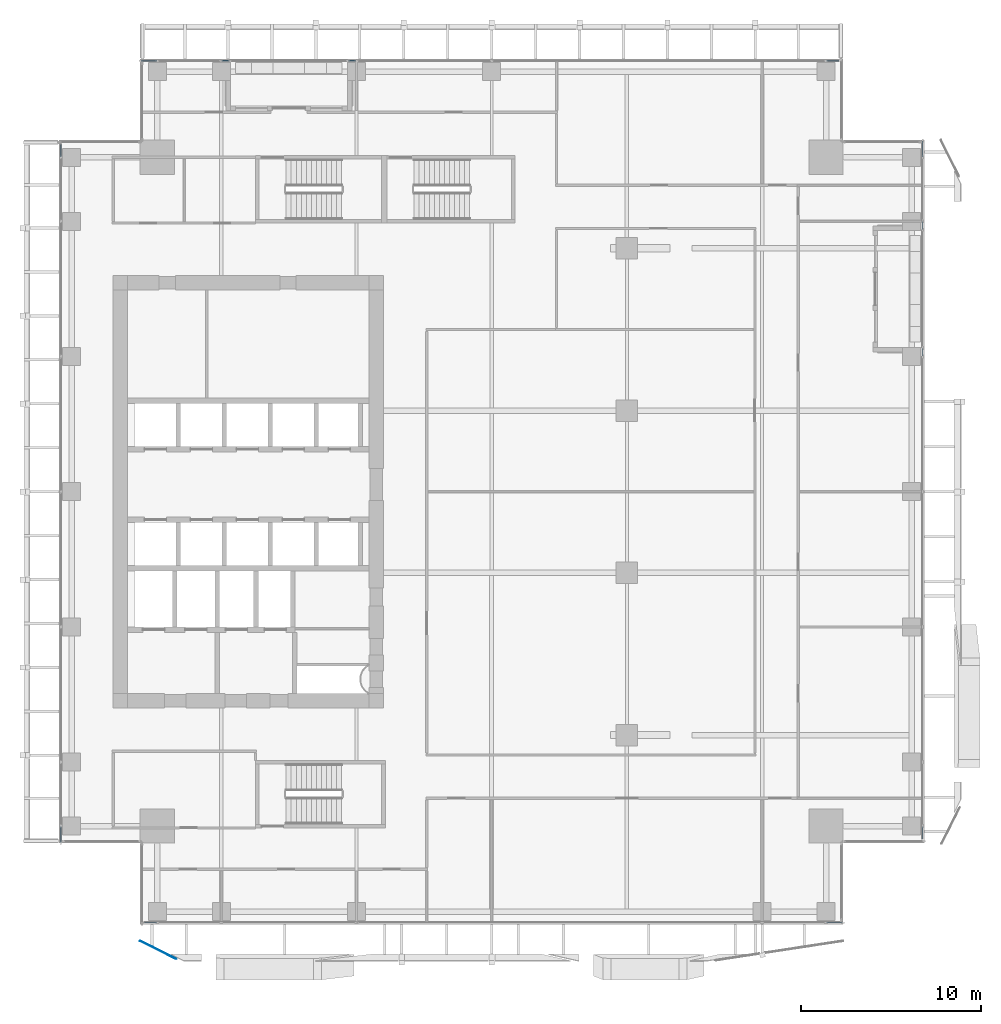
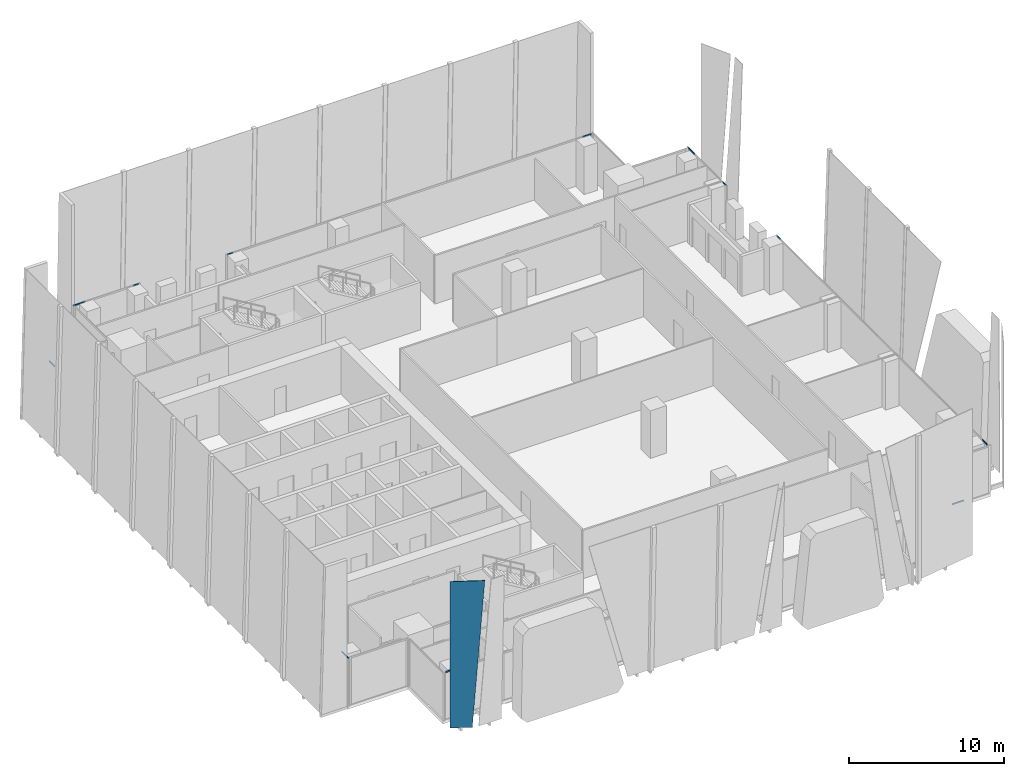
# One storey, part 22 of 35: 12 members, 1 plate, 6 elements without a shape of their own.
"""IFC4 building model written with IfcOpenShell, lengths in metres."""

from ifc_helpers import new_model, si_unit, direction, frame, origin, origin_2d, place, context, subcontext, project, spatial, polyline, hollow_rectangle, outline, extrude, source, transform, mapped, material, layer, layer_set, material_profile, profile_set, type_object, element, aggregate, save


model = new_model("IFC4")

# Units and contexts
model_context = context("Model", 3, precision=1e-05, world=origin(), true_north=direction((0.0, 1.0)))
body_context = subcontext(model_context, "Body", "Model", "MODEL_VIEW")
ifc_project = project(units=[si_unit("LENGTHUNIT", "METRE"), si_unit("AREAUNIT", "SQUARE_METRE"), si_unit("VOLUMEUNIT", "CUBIC_METRE"), si_unit("PLANEANGLEUNIT", "RADIAN"), si_unit("MASSUNIT", "GRAM", prefix="KILO")], contexts=[model_context])

# Site, building, storey
site_placement = place(None, origin())
site = spatial("IfcSite", under=ifc_project, at=site_placement, CompositionType="ELEMENT")
building_placement = place(site_placement, origin())
building = spatial("IfcBuilding", under=site, at=building_placement, Name="Khomas Fold Tower", CompositionType="ELEMENT")
storey_placement = place(building_placement, frame((0.0, 0.0, 188.699951171875)))
storey = spatial("IfcBuildingStorey", under=building, at=storey_placement, Name="L41", CompositionType="ELEMENT", Elevation=188.699951171875)

# Curtain wall, member
ifc_material_1 = material(Name="Aluminium framed double glazing", Category="aluminium")
curtain_wall_type = type_object("IfcCurtainWallType", Name="SK-Unitised clear-glass wall, office floors CW2", PredefinedType="NOTDEFINED", material=ifc_material_1)
curtain_wall_1_placement = place(storey_placement, origin())
curtain_wall_1 = element("IfcCurtainWall", 1, at=curtain_wall_1_placement, inside=storey, type_object=curtain_wall_type, Name="CW2 run L41 00-0", PredefinedType="NOTDEFINED")
ifc_material_2 = material(Name="Aluminium", Category="aluminium")
ifc_material_profile = material_profile(ifc_material_2, hollow_rectangle(XDim=0.050048828125, YDim=0.110107421875, WallThickness=0.00390625, at=origin_2d()), Name="SK-Unitised clear-glass wall, office floors transom CW2-T")
ifc_profile_set = profile_set([ifc_material_profile], Name="Aluminium")
member_type = type_object("IfcMemberType", Name="SK-Unitised clear-glass wall, office floors transom CW2-T", PredefinedType="USERDEFINED", material=ifc_profile_set)
shared_shape_1 = source(origin(), body_context, "Body", "SweptSolid", [
    extrude(hollow_rectangle(XDim=0.050048828125, YDim=0.110107421875, WallThickness=0.00390625, at=origin_2d()), origin(), (0.0, 0.0, 1.0), 0.659912109375),
])
member_1_placement = place(storey_placement, frame((7.760009765625, 3.10009765625, 3.695068359375), z_axis=(1.0, 0.0, 0.0), x_axis=(0.0, 1.0, 0.0)))
member_1 = element("IfcMember", 2, at=member_1_placement, type_object=member_type, Name="CW2 transom 1", ObjectType="TRANSOM", PredefinedType="USERDEFINED", context=body_context, shape_type="MappedRepresentation", body=[
    mapped(shared_shape_1, transform((0.0, 0.0, 0.0))),
])

curtain_wall_2_placement = place(storey_placement, origin())
curtain_wall_2 = element("IfcCurtainWall", 3, at=curtain_wall_2_placement, inside=storey, type_object=curtain_wall_type, Name="CW2 run L41 03-0", PredefinedType="NOTDEFINED")
member_2_placement = place(storey_placement, frame((50.89990234375, 7.760009765625, 3.695068359375), z_axis=(0.0, 1.0, 0.0), x_axis=(-1.0, 0.0, 0.0)))
member_2 = element("IfcMember", 4, at=member_2_placement, type_object=member_type, Name="CW2 transom 1", ObjectType="TRANSOM", PredefinedType="USERDEFINED", context=body_context, shape_type="MappedRepresentation", body=[
    mapped(shared_shape_1, transform((0.0, 0.0, 0.0))),
])

curtain_wall_3_placement = place(storey_placement, origin())
curtain_wall_3 = element("IfcCurtainWall", 5, at=curtain_wall_3_placement, inside=storey, type_object=curtain_wall_type, Name="CW2 run L41 06-0", PredefinedType="NOTDEFINED")
member_3_placement = place(storey_placement, frame((46.239990234375, 50.89990234375, 3.695068359375), z_axis=(-1.0, 0.0, 0.0), x_axis=(0.0, -1.0, 0.0)))
member_3 = element("IfcMember", 6, at=member_3_placement, type_object=member_type, Name="CW2 transom 1", ObjectType="TRANSOM", PredefinedType="USERDEFINED", context=body_context, shape_type="MappedRepresentation", body=[
    mapped(shared_shape_1, transform((0.0, 0.0, 0.0))),
])

curtain_wall_4_placement = place(storey_placement, origin())
curtain_wall_4 = element("IfcCurtainWall", 7, at=curtain_wall_4_placement, inside=storey, type_object=curtain_wall_type, Name="CW2 run L41 09-0", PredefinedType="NOTDEFINED")
member_4_placement = place(storey_placement, frame((3.10009765625, 46.239990234375, 3.695068359375), z_axis=(0.0, -1.0, 0.0), x_axis=(1.0, 0.0, 0.0)))
member_4 = element("IfcMember", 8, at=member_4_placement, type_object=member_type, Name="CW2 transom 1", ObjectType="TRANSOM", PredefinedType="USERDEFINED", context=body_context, shape_type="MappedRepresentation", body=[
    mapped(shared_shape_1, transform((0.0, 0.0, 0.0))),
])

# Member
shared_shape_2 = source(origin(), body_context, "Body", "SweptSolid", [
    extrude(hollow_rectangle(XDim=0.050048828125, YDim=0.110107421875, WallThickness=0.00390625, at=origin_2d()), origin(), (0.0, 0.0, 1.0), 0.409912109375),
])
member_5_placement = place(storey_placement, frame((50.89990234375, 34.530029296875, 3.695068359375), z_axis=(0.0, 1.0, 0.0), x_axis=(-1.0, 0.0, 0.0)))
member_5 = element("IfcMember", 9, at=member_5_placement, type_object=member_type, Name="CW2 transom 6", ObjectType="TRANSOM", PredefinedType="USERDEFINED", context=body_context, shape_type="MappedRepresentation", body=[
    mapped(shared_shape_2, transform((0.0, 0.0, 0.0))),
])

aggregate(curtain_wall_2, [member_2, member_5])

# Curtain wall, member
curtain_wall_5_placement = place(storey_placement, origin())
curtain_wall_5 = element("IfcCurtainWall", 10, at=curtain_wall_5_placement, inside=storey, type_object=curtain_wall_type, Name="CW2 run L41 03-1", PredefinedType="NOTDEFINED")
member_6_placement = place(storey_placement, frame((50.89990234375, 41.56005859375, 3.695068359375), z_axis=(0.0, 1.0, 0.0), x_axis=(-1.0, 0.0, 0.0)))
member_6 = element("IfcMember", 11, at=member_6_placement, type_object=member_type, Name="CW2 transom 1", ObjectType="TRANSOM", PredefinedType="USERDEFINED", context=body_context, shape_type="MappedRepresentation", body=[
    mapped(shared_shape_2, transform((0.0, 0.0, 0.0))),
])

# Member
member_7_placement = place(storey_placement, frame((19.469970703125, 50.89990234375, 3.695068359375), z_axis=(-1.0, 0.0, 0.0), x_axis=(0.0, -1.0, 0.0)))
member_7 = element("IfcMember", 12, at=member_7_placement, type_object=member_type, Name="CW2 transom 4", ObjectType="TRANSOM", PredefinedType="USERDEFINED", context=body_context, shape_type="MappedRepresentation", body=[
    mapped(shared_shape_2, transform((0.0, 0.0, 0.0))),
])

aggregate(curtain_wall_3, [member_3, member_7])

# Curtain wall, member
curtain_wall_6_placement = place(storey_placement, origin())
curtain_wall_6 = element("IfcCurtainWall", 13, at=curtain_wall_6_placement, inside=storey, type_object=curtain_wall_type, Name="CW2 run L41 06-1", PredefinedType="NOTDEFINED")
member_8_placement = place(storey_placement, frame((12.43994140625, 50.89990234375, 3.695068359375), z_axis=(-1.0, 0.0, 0.0), x_axis=(0.0, -1.0, 0.0)))
member_8 = element("IfcMember", 14, at=member_8_placement, type_object=member_type, Name="CW2 transom 1", ObjectType="TRANSOM", PredefinedType="USERDEFINED", context=body_context, shape_type="MappedRepresentation", body=[
    mapped(shared_shape_2, transform((0.0, 0.0, 0.0))),
])

# Member
shared_shape_3 = source(origin(), body_context, "Body", "SweptSolid", [
    extrude(hollow_rectangle(XDim=0.050048828125, YDim=0.110107421875, WallThickness=0.00390625, at=origin_2d()), origin(), (0.0, 0.0, 1.0), 0.85986328125),
])
member_9_placement = place(storey_placement, frame((45.580078125, 3.10009765625, 3.695068359375), z_axis=(1.0, 0.0, 0.0), x_axis=(0.0, 1.0, 0.0)))
member_9 = element("IfcMember", 15, at=member_9_placement, type_object=member_type, Name="CW2 transom 6", ObjectType="TRANSOM", PredefinedType="USERDEFINED", context=body_context, shape_type="MappedRepresentation", body=[
    mapped(shared_shape_3, transform((0.0, 0.0, 0.0))),
])

aggregate(curtain_wall_1, [member_1, member_9])

member_10_placement = place(storey_placement, frame((50.89990234375, 45.580078125, 3.695068359375), z_axis=(0.0, 1.0, 0.0), x_axis=(-1.0, 0.0, 0.0)))
member_10 = element("IfcMember", 16, at=member_10_placement, type_object=member_type, Name="CW2 transom 3", ObjectType="TRANSOM", PredefinedType="USERDEFINED", context=body_context, shape_type="MappedRepresentation", body=[
    mapped(shared_shape_3, transform((0.0, 0.0, 0.0))),
])

aggregate(curtain_wall_5, [member_6, member_10])

member_11_placement = place(storey_placement, frame((8.419921875, 50.89990234375, 3.695068359375), z_axis=(-1.0, 0.0, 0.0), x_axis=(0.0, -1.0, 0.0)))
member_11 = element("IfcMember", 17, at=member_11_placement, type_object=member_type, Name="CW2 transom 3", ObjectType="TRANSOM", PredefinedType="USERDEFINED", context=body_context, shape_type="MappedRepresentation", body=[
    mapped(shared_shape_3, transform((0.0, 0.0, 0.0))),
])

aggregate(curtain_wall_6, [member_8, member_11])

member_12_placement = place(storey_placement, frame((3.10009765625, 8.419921875, 3.695068359375), z_axis=(0.0, -1.0, 0.0), x_axis=(1.0, 0.0, 0.0)))
member_12 = element("IfcMember", 18, at=member_12_placement, type_object=member_type, Name="CW2 transom 8", ObjectType="TRANSOM", PredefinedType="USERDEFINED", context=body_context, shape_type="MappedRepresentation", body=[
    mapped(shared_shape_3, transform((0.0, 0.0, 0.0))),
])

aggregate(curtain_wall_4, [member_4, member_12])

# Plate
ifc_material_3 = material(Name="Clear laminated glass", Category="glass")
ifc_layer = layer(ifc_material_3, 0.0400390625)
ifc_layer_set = layer_set([ifc_layer], Name="Clear laminated glass")
plate_type = type_object("IfcPlateType", Name="SK-Clear laminated glass leaf", PredefinedType="SHEET", material=ifc_layer_set)
plate_placement = place(storey_placement, frame((8.80224609375, 1.448974609375, 0.0), z_axis=(0.4472135955, 0.894427191, 0.0), x_axis=(-0.894427191, 0.4472135955, 0.0)))
element("IfcPlate", 19, at=plate_placement, inside=storey, type_object=plate_type, Name="OUTER SKIN glass L41 SG099-2", PredefinedType="SHEET", context=body_context, shape_type="SweptSolid", body=[
    extrude(outline(polyline([(0.0, 0.0), (1.4559553945292822, 0.0), (1.4559553945292822, 11.550048828124998), (-0.8085001647161105, 11.550048828124998), (0.0, 0.0)])), origin(), (0.0, 0.0, -1.0), 0.0400390625),
])

save(model, "model.ifc")
